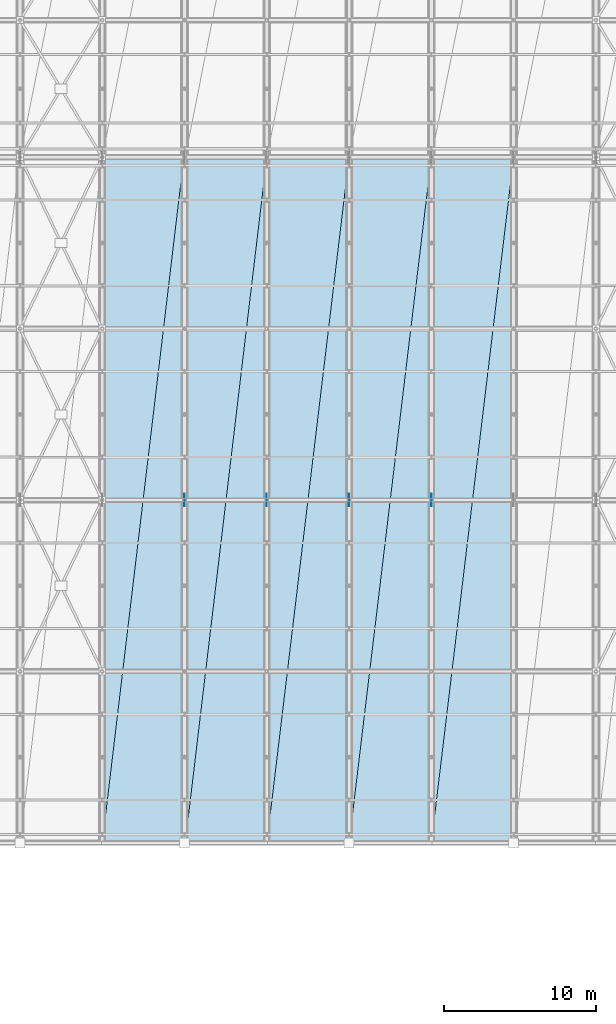
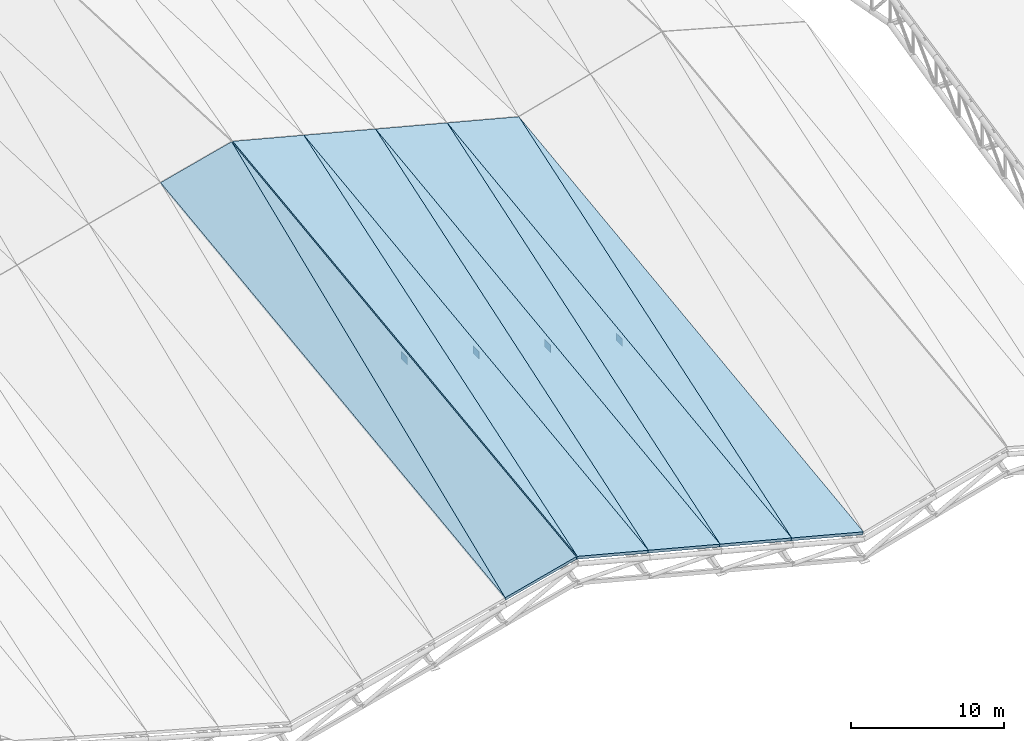
# One storey, part 97 of 109: 10 slabs, 4 plates.
"""IFC4 building model written with IfcOpenShell, lengths in metres."""

from ifc_helpers import new_model, si_unit, direction, frame, origin, origin_2d, place, context, subcontext, project, spatial, polyline, rectangle, outline, extrude, material, layer, layer_set, type_object, element, save


model = new_model("IFC4")

# Units and contexts
model_context = context("Model", 3, precision=1e-05, world=origin(), true_north=direction((0.0, 1.0)))
body_context = subcontext(model_context, "Body", "Model", "MODEL_VIEW")
ifc_project = project(units=[si_unit("LENGTHUNIT", "METRE"), si_unit("AREAUNIT", "SQUARE_METRE"), si_unit("VOLUMEUNIT", "CUBIC_METRE"), si_unit("PLANEANGLEUNIT", "RADIAN"), si_unit("MASSUNIT", "GRAM", prefix="KILO")], contexts=[model_context])

# Site, building, storey
site_placement = place(None, origin())
site = spatial("IfcSite", under=ifc_project, at=site_placement, CompositionType="ELEMENT")
building_placement = place(site_placement, origin())
building = spatial("IfcBuilding", under=site, at=building_placement, Name="Suirenkawa Promenade Aquatics Centre", CompositionType="ELEMENT")
storey_placement = place(building_placement, frame((0.0, 0.0, 22.800048828125)))
storey = spatial("IfcBuildingStorey", under=building, at=storey_placement, Name="ROOF", CompositionType="ELEMENT", Elevation=22.800048828125)

# Plates
ifc_material_1 = material(Name="Steel IS 2062 E350 (Grade 350)", Category="steel")
ifc_layer_1 = layer(ifc_material_1, 0.02392578125, Name="Steel IS 2062 E350 (Grade 350)", Category="steel")
ifc_layer_set_1 = layer_set([ifc_layer_1], Name="Steel IS 2062 E350 (Grade 350)")
plate_type = type_object("IfcPlateType", Name="PLT-GUSSET-800x600x24", PredefinedType="USERDEFINED", material=ifc_layer_set_1)
for number, where, z_axis, x_axis, name in (
    (1, (111.60009765625, 72.89990234375, -6.960205078125), (0.0, 0.0, 1.0), (0.0, 1.0, 0.0), "Truss node plate TN-04 PLG-0048"),
    (2, (117.0, 72.89990234375, -8.360107421875), (0.0, 0.0, 1.0), (0.0, 1.0, 0.0), "Truss node plate TN-04 PLG-0051"),
    (3, (122.39990234375, 72.89990234375, -9.760009765625), (0.0, 0.0, 1.0), (0.0, 1.0, 0.0), "Truss node plate TN-04 PLG-0056"),
    (4, (127.800048828125, 72.89990234375, -11.16015625), (0.0, 0.0, 1.0), (0.0, 1.0, 0.0), "Truss node plate TN-04 PLG-0059"),
):
    element("IfcPlate", number, at=place(storey_placement, frame(where, z_axis=z_axis, x_axis=x_axis)), inside=storey, type_object=plate_type, Name=name, ObjectType="GUSSET", PredefinedType="USERDEFINED", context=body_context, shape_type="SweptSolid", body=[
        extrude(rectangle(XDim=0.800048828125, YDim=0.02392578125, at=origin_2d()), origin(), (0.0, 0.0, 1.0), 0.60009765625),
    ])

# Slabs
ifc_material_2 = material(Name="Concrete M35", Category="concrete")
ifc_layer_2 = layer(ifc_material_2, 0.239990234375, Name="Concrete M35", Category="concrete")
ifc_layer_set_2 = layer_set([ifc_layer_2], Name="Concrete M35")
slab_type = type_object("IfcSlabType", Name="SLT-ROOF-V1-240", PredefinedType="ROOF", material=ifc_layer_set_2)
slab_1_placement = place(storey_placement, frame((106.199951171875, 50.39990234375, -10.199951171875), z_axis=(-0.248964106114, -0.123866924269, 0.960559138699), x_axis=(0.968013970531, 0.0, 0.250896299009)))
element("IfcSlab", 5, at=slab_1_placement, inside=storey, type_object=slab_type, Name="Folded roof facet SL-ROOF-01 SL-V1-RFS-12-1", PredefinedType="ROOF", context=body_context, shape_type="SweptSolid", body=[
    extrude(outline(polyline([(0.0, 0.0), (5.531924777709373, 5.551115123125783e-17), (6.987135562759031, 45.327098646558355), (0.0, 0.0)])), origin(), (0.0, 0.0, -1.0), 0.239990234375),
])
slab_2_placement = place(storey_placement, frame((106.199951171875, 50.39990234375, -10.199951171875), z_axis=(-0.249005344972, -0.123860439794, 0.960549285372), x_axis=(0.116761717109, 0.980715379911, 0.156729209224)))
element("IfcSlab", 6, at=slab_2_placement, inside=storey, type_object=slab_type, Name="Folded roof facet SL-ROOF-01 SL-V1-RFS-12-2", PredefinedType="ROOF", context=body_context, shape_type="SweptSolid", body=[
    extrude(outline(polyline([(0.0, 0.0), (45.862467607916656, 4.440892098500626e-16), (45.01964197639481, 5.467404728525266), (0.0, 0.0)])), origin(), (0.0, 0.0, -1.0), 0.239990234375),
])
slab_3_placement = place(storey_placement, frame((111.64501953125, 50.39990234375, -8.81201171875), z_axis=(0.2489642669, -0.123861790348, 0.960559759046), x_axis=(0.968013970531, 0.0, -0.250896299009)))
element("IfcSlab", 7, at=slab_3_placement, inside=storey, type_object=slab_type, Name="Folded roof facet SL-ROOF-01 SL-V1-RFS-13-1", PredefinedType="ROOF", context=body_context, shape_type="SweptSolid", body=[
    extrude(outline(polyline([(0.0, 0.0), (5.531924777709373, -5.551115123125783e-17), (4.076775246638966, 45.32706937350457), (0.0, 0.0)])), origin(), (0.0, 0.0, -1.0), 0.239990234375),
])
slab_4_placement = place(storey_placement, frame((111.64501953125, 50.39990234375, -8.81201171875), z_axis=(0.249005184164, -0.123865573661, 0.960548665046), x_axis=(0.117665926463, 0.988310095391, 0.096942689756)))
element("IfcSlab", 8, at=slab_4_placement, inside=storey, type_object=slab_type, Name="Folded roof facet SL-ROOF-01 SL-V1-RFS-13-2", PredefinedType="ROOF", context=body_context, shape_type="SweptSolid", body=[
    extrude(outline(polyline([(0.0, 0.0), (45.51003531532473, -6.661338147750939e-16), (45.01451082873078, 5.509748178804221), (0.0, 0.0)])), origin(), (0.0, 0.0, -1.0), 0.239990234375),
])
slab_5_placement = place(storey_placement, frame((117.0, 50.39990234375, -10.199951171875), z_axis=(0.249058191026, -0.123863830493, 0.960535147185), x_axis=(0.967989416096, 0.0, -0.250991016426)))
element("IfcSlab", 9, at=slab_5_placement, inside=storey, type_object=slab_type, Name="Folded roof facet SL-ROOF-01 SL-V1-RFS-14-1", PredefinedType="ROOF", context=body_context, shape_type="SweptSolid", body=[
    extrude(outline(polyline([(0.0, 0.0), (5.578472505959352, 0.0), (4.122712355268071, 45.327081006032316), (0.0, 0.0)])), origin(), (0.0, 0.0, -1.0), 0.239990234375),
])
slab_6_placement = place(storey_placement, frame((117.0, 50.39990234375, -10.199951171875), z_axis=(0.249017617246, -0.123860036264, 0.960546155954), x_axis=(0.118642184898, 0.988219989319, 0.096671012579)))
element("IfcSlab", 10, at=slab_6_placement, inside=storey, type_object=slab_type, Name="Folded roof facet SL-ROOF-01 SL-V1-RFS-14-2", PredefinedType="ROOF", context=body_context, shape_type="SweptSolid", body=[
    extrude(outline(polyline([(0.0, 0.0), (45.5141849283462, 0.0), (45.00885869313055, 5.555476333319788), (0.0, 0.0)])), origin(), (0.0, 0.0, -1.0), 0.239990234375),
])
slab_7_placement = place(storey_placement, frame((122.39990234375, 50.39990234375, -11.60009765625), z_axis=(0.249006896417, -0.123865517358, 0.960548228433), x_axis=(0.96800280427, 0.0, -0.250939376992)))
element("IfcSlab", 11, at=slab_7_placement, inside=storey, type_object=slab_type, Name="Folded roof facet SL-ROOF-01 SL-V1-RFS-15-1", PredefinedType="ROOF", context=body_context, shape_type="SweptSolid", body=[
    extrude(outline(polyline([(0.0, 0.0), (5.578647562334837, 2.7755575615628914e-17), (4.123186922882223, 45.32709062438005), (0.0, 0.0)])), origin(), (0.0, 0.0, -1.0), 0.239990234375),
])
slab_8_placement = place(storey_placement, frame((122.39990234375, 50.39990234375, -11.60009765625), z_axis=(0.249006896417, -0.123865517358, 0.960548228433), x_axis=(0.118647411918, 0.988218847946, 0.096676264976)))
element("IfcSlab", 12, at=slab_8_placement, inside=storey, type_object=slab_type, Name="Folded roof facet SL-ROOF-01 SL-V1-RFS-15-2", PredefinedType="ROOF", context=body_context, shape_type="SweptSolid", body=[
    extrude(outline(polyline([(0.0, 0.0), (45.51423749632403, 8.881784197001252e-16), (45.00886142189796, 5.555709103988629), (0.0, 0.0)])), origin(), (0.0, 0.0, -1.0), 0.239990234375),
])
slab_9_placement = place(storey_placement, frame((127.800048828125, 50.39990234375, -13.0), z_axis=(0.249058191026, -0.123863830493, 0.960535147185), x_axis=(0.967989416096, 0.0, -0.250991016426)))
element("IfcSlab", 13, at=slab_9_placement, inside=storey, type_object=slab_type, Name="Folded roof facet SL-ROOF-01 SL-V1-RFS-16-1", PredefinedType="ROOF", context=body_context, shape_type="SweptSolid", body=[
    extrude(outline(polyline([(0.0, 0.0), (5.578472505959352, 0.0), (4.122712355268071, 45.327081006032316), (0.0, 0.0)])), origin(), (0.0, 0.0, -1.0), 0.239990234375),
])
slab_10_placement = place(storey_placement, frame((127.800048828125, 50.39990234375, -13.0), z_axis=(0.249058191026, -0.123863830493, 0.960535147185), x_axis=(0.118642184898, 0.988219989319, 0.096671012579)))
element("IfcSlab", 14, at=slab_10_placement, inside=storey, type_object=slab_type, Name="Folded roof facet SL-ROOF-01 SL-V1-RFS-16-2", PredefinedType="ROOF", context=body_context, shape_type="SweptSolid", body=[
    extrude(outline(polyline([(0.0, 0.0), (45.5141849283462, -2.220446049250313e-16), (45.00888229445198, 5.555540005069172), (0.0, 0.0)])), origin(), (0.0, 0.0, -1.0), 0.239990234375),
])

save(model, "model.ifc")
